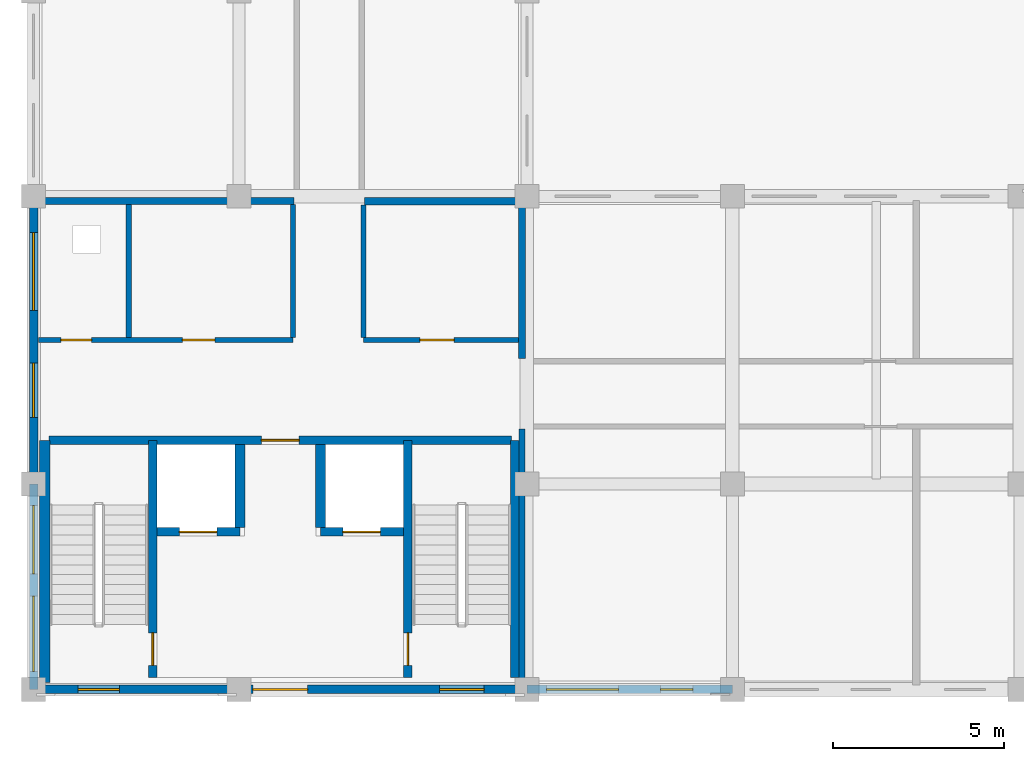
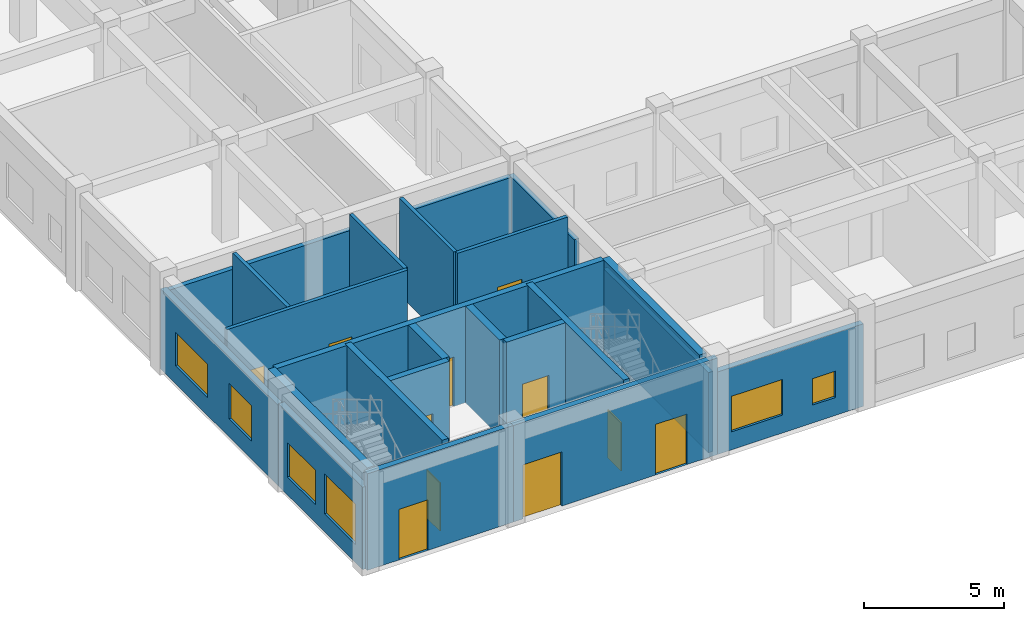
# One storey, part 26 of 67: 23 walls, 11 doors, 6 windows, 17 openings.
"""IFC4 building model written with IfcOpenShell, lengths in metres."""

from ifc_helpers import new_model, si_unit, direction, frame, frame_2d, origin, place, context, subcontext, project, spatial, rectangle, extrude, material, layer, layer_set, type_object, element, fill, save


model = new_model("IFC4")

# Units and contexts
model_context = context("Model", 3, precision=1e-05, world=origin(), true_north=direction((0.0, 1.0)))
body_context = subcontext(model_context, "Body", "Model", "MODEL_VIEW")
ifc_project = project(units=[si_unit("LENGTHUNIT", "METRE"), si_unit("AREAUNIT", "SQUARE_METRE"), si_unit("VOLUMEUNIT", "CUBIC_METRE"), si_unit("PLANEANGLEUNIT", "RADIAN"), si_unit("MASSUNIT", "GRAM", prefix="KILO"), si_unit("THERMODYNAMICTEMPERATUREUNIT", "KELVIN")], contexts=[model_context])

# Site, building, storey
site_placement = place(None, origin())
site = spatial("IfcSite", under=ifc_project, at=site_placement, CompositionType="ELEMENT")
building_placement = place(site_placement, origin())
building = spatial("IfcBuilding", under=site, at=building_placement, Name="Thalorik Housing Commons", CompositionType="ELEMENT")
storey_placement = place(building_placement, origin())
storey = spatial("IfcBuildingStorey", under=building, at=storey_placement, Name="L00", CompositionType="ELEMENT", Elevation=0.0)

# Wall, opening, door
ifc_material_1 = material(Name="Concrete C40/50", Category="concrete")
ifc_layer_1 = layer(ifc_material_1, 0.25, Name="Concrete C40/50", Category="concrete")
ifc_layer_set_1 = layer_set([ifc_layer_1], Name="Concrete C40/50")
wall_type_1 = type_object("IfcWallType", Name="ARC-WAL-CORE-250", PredefinedType="SHEAR", material=ifc_layer_set_1)
wall_1_placement = place(storey_placement, frame((11.875, 8.75, 0.0), z_axis=(0.0, 0.0, 1.0), x_axis=(0.0, 1.0, 0.0)))
wall_1 = element("IfcWall", 1, at=wall_1_placement, inside=storey, type_object=wall_type_1, Name="L00 Core C Stair 1 Shear Wall", PredefinedType="SHEAR", context=body_context, shape_type="SweptSolid", body=[
    extrude(rectangle(XDim=6.925048828125, YDim=0.25, at=frame_2d((3.46240234375, 0.0))), origin(), (0.0, 0.0, 1.0), 4.199951171875),
])
opening_1_placement = place(wall_1_placement, frame((0.35009765625, 0.0, 0.0)))
opening_1 = element("IfcOpeningElement", 2, at=opening_1_placement, cuts=wall_1, Name="Opening ID-0257", PredefinedType="OPENING", context=body_context, shape_type="SweptSolid", body=[
    extrude(rectangle(XDim=0.949951171875, YDim=2.10009765625, at=frame_2d((0.47509765625, 1.050048828125))), frame((0.0, 0.135009765625, 0.0), z_axis=(0.0, -1.0, 0.0), x_axis=(1.0, 0.0, 0.0)), (0.0, 0.0, 1.0), 0.27001953125),
])
ifc_material_2 = material(Name="Steel S355", Category="steel")
door_type_1 = type_object("IfcDoorType", Name="ARC-DR-FD60-950", OperationType="NOTDEFINED", PredefinedType="DOOR", material=ifc_material_2)
door_1_placement = place(opening_1_placement, origin())
door_1 = element("IfcDoor", 3, at=door_1_placement, inside=storey, type_object=door_type_1, Name="L00 Stair ST-C1 Fire Door", OperationType="SINGLE_SWING_RIGHT", OverallHeight=2.10009765625, OverallWidth=0.949951171875, PredefinedType="DOOR", context=body_context, shape_type="SweptSolid", body=[
    extrude(rectangle(XDim=0.949951171875, YDim=2.10009765625, at=frame_2d((0.47509765625, 1.050048828125))), frame((0.0, 0.02490234375, 0.0), z_axis=(0.0, -1.0, 0.0), x_axis=(1.0, 0.0, 0.0)), (0.0, 0.0, 1.0), 0.050048828125),
])
fill(opening_1, door_1)

wall_2_placement = place(storey_placement, frame((19.324951171875, 8.75, 0.0), z_axis=(0.0, 0.0, 1.0), x_axis=(0.0, 1.0, 0.0)))
wall_2 = element("IfcWall", 4, at=wall_2_placement, inside=storey, type_object=wall_type_1, Name="L00 Core C Stair 2 Shear Wall", PredefinedType="SHEAR", context=body_context, shape_type="SweptSolid", body=[
    extrude(rectangle(XDim=6.925048828125, YDim=0.25, at=frame_2d((3.46240234375, 0.0))), origin(), (0.0, 0.0, 1.0), 4.199951171875),
])
opening_2_placement = place(wall_2_placement, frame((0.35009765625, 0.0, 0.0)))
opening_2 = element("IfcOpeningElement", 5, at=opening_2_placement, cuts=wall_2, Name="Opening ID-0258", PredefinedType="OPENING", context=body_context, shape_type="SweptSolid", body=[
    extrude(rectangle(XDim=0.949951171875, YDim=2.10009765625, at=frame_2d((0.47509765625, 1.050048828125))), frame((0.0, 0.135009765625, 0.0), z_axis=(0.0, -1.0, 0.0), x_axis=(1.0, 0.0, 0.0)), (0.0, 0.0, 1.0), 0.27001953125),
])
door_2_placement = place(opening_2_placement, origin())
door_2 = element("IfcDoor", 6, at=door_2_placement, inside=storey, type_object=door_type_1, Name="L00 Stair ST-C2 Fire Door", OperationType="SINGLE_SWING_LEFT", OverallHeight=2.10009765625, OverallWidth=0.949951171875, PredefinedType="DOOR", context=body_context, shape_type="SweptSolid", body=[
    extrude(rectangle(XDim=0.949951171875, YDim=2.10009765625, at=frame_2d((0.47509765625, 1.050048828125))), frame((0.0, 0.02490234375, 0.0), z_axis=(0.0, -1.0, 0.0), x_axis=(1.0, 0.0, 0.0)), (0.0, 0.0, 1.0), 0.050048828125),
])
fill(opening_2, door_2)

wall_3_placement = place(storey_placement, frame((12.0, 13.0, 0.0), z_axis=(0.0, 0.0, 1.0), x_axis=(1.0, 0.0, 0.0)))
wall_3 = element("IfcWall", 7, at=wall_3_placement, inside=storey, type_object=wall_type_1, Name="L00 Lift LF-C1 Front Shaft Wall", PredefinedType="SHEAR", context=body_context, shape_type="SweptSolid", body=[
    extrude(rectangle(XDim=2.425048828125, YDim=0.25, at=frame_2d((1.21240234375, 0.0))), origin(), (0.0, 0.0, 1.0), 4.199951171875),
])
opening_3_placement = place(wall_3_placement, frame((0.64990234375, 0.0, 0.0)))
opening_3 = element("IfcOpeningElement", 8, at=opening_3_placement, cuts=wall_3, Name="Opening LD-LF-C1-L00", PredefinedType="OPENING", context=body_context, shape_type="SweptSolid", body=[
    extrude(rectangle(XDim=1.10009765625, YDim=2.14990234375, at=frame_2d((0.550048828125, 1.074951171875))), frame((0.0, 0.135009765625, 0.0), z_axis=(0.0, -1.0, 0.0), x_axis=(1.0, 0.0, 0.0)), (0.0, 0.0, 1.0), 0.27001953125),
])
door_type_2 = type_object("IfcDoorType", Name="ARC-DR-LIFT-1100", OperationType="NOTDEFINED", PredefinedType="DOOR", material=ifc_material_2)
door_3_placement = place(opening_3_placement, origin())
door_3 = element("IfcDoor", 9, at=door_3_placement, inside=storey, type_object=door_type_2, Name="L00 Lift LF-C1 Landing Door", OperationType="SLIDING_TO_LEFT", OverallHeight=2.14990234375, OverallWidth=1.10009765625, PredefinedType="DOOR", context=body_context, shape_type="SweptSolid", body=[
    extrude(rectangle(XDim=1.10009765625, YDim=2.14990234375, at=frame_2d((0.550048828125, 1.074951171875))), frame((0.0, 0.02490234375, 0.0), z_axis=(0.0, -1.0, 0.0), x_axis=(1.0, 0.0, 0.0)), (0.0, 0.0, 1.0), 0.050048828125),
])
fill(opening_3, door_3)

wall_4_placement = place(storey_placement, frame((16.77490234375, 13.0, 0.0), z_axis=(0.0, 0.0, 1.0), x_axis=(1.0, 0.0, 0.0)))
wall_4 = element("IfcWall", 10, at=wall_4_placement, inside=storey, type_object=wall_type_1, Name="L00 Lift LP-C2 Front Shaft Wall", PredefinedType="SHEAR", context=body_context, shape_type="SweptSolid", body=[
    extrude(rectangle(XDim=2.425048828125, YDim=0.25, at=frame_2d((1.21240234375, 0.0))), origin(), (0.0, 0.0, 1.0), 4.199951171875),
])
opening_4_placement = place(wall_4_placement, frame((0.64990234375, 0.0, 0.0)))
opening_4 = element("IfcOpeningElement", 11, at=opening_4_placement, cuts=wall_4, Name="Opening LD-LP-C2-L00", PredefinedType="OPENING", context=body_context, shape_type="SweptSolid", body=[
    extrude(rectangle(XDim=1.10009765625, YDim=2.14990234375, at=frame_2d((0.550048828125, 1.074951171875))), frame((0.0, 0.135009765625, 0.0), z_axis=(0.0, -1.0, 0.0), x_axis=(1.0, 0.0, 0.0)), (0.0, 0.0, 1.0), 0.27001953125),
])
door_4_placement = place(opening_4_placement, origin())
door_4 = element("IfcDoor", 12, at=door_4_placement, inside=storey, type_object=door_type_2, Name="L00 Lift LP-C2 Landing Door", OperationType="SLIDING_TO_LEFT", OverallHeight=2.14990234375, OverallWidth=1.10009765625, PredefinedType="DOOR", context=body_context, shape_type="SweptSolid", body=[
    extrude(rectangle(XDim=1.10009765625, YDim=2.14990234375, at=frame_2d((0.550048828125, 1.074951171875))), frame((0.0, 0.02490234375, 0.0), z_axis=(0.0, -1.0, 0.0), x_axis=(1.0, 0.0, 0.0)), (0.0, 0.0, 1.0), 0.050048828125),
])
fill(opening_4, door_4)

wall_5_placement = place(storey_placement, frame((8.85009765625, 15.675048828125, 0.0), z_axis=(0.0, 0.0, 1.0), x_axis=(1.0, 0.0, 0.0)))
wall_5 = element("IfcWall", 13, at=wall_5_placement, inside=storey, type_object=wall_type_1, Name="L00 Core C Spine Shear Wall", PredefinedType="SHEAR", context=body_context, shape_type="SweptSolid", body=[
    extrude(rectangle(XDim=13.5, YDim=0.25, at=frame_2d((6.75, 0.0))), origin(), (0.0, 0.0, 1.0), 4.199951171875),
])
opening_5_placement = place(wall_5_placement, frame((6.199951171875, 0.0, 0.0)))
opening_5 = element("IfcOpeningElement", 14, at=opening_5_placement, cuts=wall_5, Name="Opening ID-0261", PredefinedType="OPENING", context=body_context, shape_type="SweptSolid", body=[
    extrude(rectangle(XDim=1.10009765625, YDim=2.14990234375, at=frame_2d((0.550048828125, 1.074951171875))), frame((0.0, 0.135009765625, 0.0), z_axis=(0.0, -1.0, 0.0), x_axis=(1.0, 0.0, 0.0)), (0.0, 0.0, 1.0), 0.27001953125),
])
door_type_3 = type_object("IfcDoorType", Name="ARC-DR-FD60-1100", OperationType="NOTDEFINED", PredefinedType="DOOR", material=ifc_material_2)
door_5_placement = place(opening_5_placement, origin())
door_5 = element("IfcDoor", 15, at=door_5_placement, inside=storey, type_object=door_type_3, Name="L00 Core C Lobby Fire Door", OperationType="SINGLE_SWING_RIGHT", OverallHeight=2.14990234375, OverallWidth=1.10009765625, PredefinedType="DOOR", context=body_context, shape_type="SweptSolid", body=[
    extrude(rectangle(XDim=1.10009765625, YDim=2.14990234375, at=frame_2d((0.550048828125, 1.074951171875))), frame((0.0, 0.02490234375, 0.0), z_axis=(0.0, -1.0, 0.0), x_axis=(1.0, 0.0, 0.0)), (0.0, 0.0, 1.0), 0.050048828125),
])
fill(opening_5, door_5)

# Walls
ifc_layer_2 = layer(ifc_material_1, 0.300048828125, Name="Concrete C40/50", Category="concrete")
ifc_layer_set_2 = layer_set([ifc_layer_2], Name="Concrete C40/50")
wall_type_2 = type_object("IfcWallType", Name="ARC-WAL-CORE-300", PredefinedType="SHEAR", material=ifc_layer_set_2)
wall_6_placement = place(storey_placement, frame((8.72509765625, 8.60009765625, 0.0), z_axis=(0.0, 0.0, 1.0), x_axis=(0.0, 1.0, 0.0)))
element("IfcWall", 16, at=wall_6_placement, inside=storey, type_object=wall_type_2, Name="L00 Core C Stair 1 Outer Shear Wall", PredefinedType="SHEAR", context=body_context, shape_type="SweptSolid", body=[
    extrude(rectangle(XDim=7.074951171875, YDim=0.300048828125, at=frame_2d((3.53759765625, 0.0))), origin(), (0.0, 0.0, 1.0), 4.199951171875),
])
wall_7_placement = place(storey_placement, frame((22.47509765625, 8.75, 0.0), z_axis=(0.0, 0.0, 1.0), x_axis=(0.0, 1.0, 0.0)))
element("IfcWall", 17, at=wall_7_placement, inside=storey, type_object=wall_type_2, Name="L00 Core C Stair 2 Outer Shear Wall", PredefinedType="SHEAR", context=body_context, shape_type="SweptSolid", body=[
    extrude(rectangle(XDim=6.925048828125, YDim=0.300048828125, at=frame_2d((3.46240234375, 0.0))), origin(), (0.0, 0.0, 1.0), 4.199951171875),
])
for number, where, z_axis, x_axis, name in (
    (18, (14.425048828125, 13.125, 0.0), (0.0, 0.0, 1.0), (0.0, 1.0, 0.0), "L00 Lift 1 Cheek Wall"),
    (19, (16.77490234375, 13.125, 0.0), (0.0, 0.0, 1.0), (0.0, 1.0, 0.0), "L00 Lift 2 Cheek Wall"),
):
    element("IfcWall", number, at=place(storey_placement, frame(where, z_axis=z_axis, x_axis=x_axis)), inside=storey, type_object=wall_type_2, Name=name, PredefinedType="SHEAR", context=body_context, shape_type="SweptSolid", body=[
        extrude(rectangle(XDim=2.425048828125, YDim=0.300048828125, at=frame_2d((1.21240234375, 0.0))), origin(), (0.0, 0.0, 1.0), 4.199951171875),
    ])

# Wall, openings, windows
ifc_material_3 = material(Name="White precast concrete C40/50", Category="concrete")
ifc_layer_3 = layer(ifc_material_3, 0.2451171875, Name="White precast concrete C40/50", Category="concrete")
ifc_layer_set_3 = layer_set([ifc_layer_3], Name="White precast concrete C40/50")
wall_type_3 = type_object("IfcWallType", Name="ARC-WAL-EXT-245", PredefinedType="STANDARD", material=ifc_layer_set_3)
wall_8_placement = place(storey_placement, frame((8.39990234375, 22.800048828125, 0.0), z_axis=(0.0, 0.0, 1.0), x_axis=(0.0, -1.0, 0.0)))
wall_8 = element("IfcWall", 20, at=wall_8_placement, inside=storey, type_object=wall_type_3, Name="L00 Exterior Wall WAL-EXT-L00-C-0833", PredefinedType="STANDARD", context=body_context, shape_type="SweptSolid", body=[
    extrude(rectangle(XDim=8.400146484375, YDim=0.2451171875, at=frame_2d((4.2001953125, 0.0))), origin(), (0.0, 0.0, 1.0), 3.485107421875),
])
opening_6_placement = place(wall_8_placement, frame((1.054931640625, 0.0, 0.780029296875)))
opening_6 = element("IfcOpeningElement", 21, at=opening_6_placement, cuts=wall_8, Name="Opening W-67", PredefinedType="OPENING", context=body_context, shape_type="SweptSolid", body=[
    extrude(rectangle(XDim=2.280029296875, YDim=1.4599609375, at=frame_2d((1.14013671875, 0.72998046875))), frame((0.0, 0.132568359375, 0.0), z_axis=(0.0, -1.0, 0.0), x_axis=(1.0, 0.0, 0.0)), (0.0, 0.0, 1.0), 0.26513671875),
])
opening_7_placement = place(wall_8_placement, frame((4.862548828125, 0.0, 0.780029296875)))
opening_7 = element("IfcOpeningElement", 22, at=opening_7_placement, cuts=wall_8, Name="Opening W-13", PredefinedType="OPENING", context=body_context, shape_type="SweptSolid", body=[
    extrude(rectangle(XDim=1.60009765625, YDim=1.550048828125, at=frame_2d((0.800048828125, 0.77490234375))), frame((0.0, 0.132568359375, 0.0), z_axis=(0.0, -1.0, 0.0), x_axis=(1.0, 0.0, 0.0)), (0.0, 0.0, 1.0), 0.26513671875),
])
ifc_material_4 = material(Name="Anodised aluminium and solar-control low-E glass", Category="aluminium")
window_type_1 = type_object("IfcWindowType", Name="ARC-WIN-13", PartitioningType="DOUBLE_PANEL_VERTICAL", PredefinedType="WINDOW", material=ifc_material_4)
window_1_placement = place(opening_7_placement, origin())
window_1 = element("IfcWindow", 23, at=window_1_placement, inside=storey, type_object=window_type_1, Name="L00 Facade Window 1546", OverallHeight=1.550048828125, OverallWidth=1.60009765625, PartitioningType="DOUBLE_PANEL_VERTICAL", PredefinedType="WINDOW", context=body_context, shape_type="SweptSolid", body=[
    extrude(rectangle(XDim=1.60009765625, YDim=1.550048828125, at=frame_2d((0.800048828125, 0.77490234375))), frame((0.0, 0.030029296875, 0.0), z_axis=(0.0, -1.0, 0.0), x_axis=(1.0, 0.0, 0.0)), (0.0, 0.0, 1.0), 0.06005859375),
])
fill(opening_7, window_1)
window_type_2 = type_object("IfcWindowType", Name="ARC-WIN-67", PartitioningType="DOUBLE_PANEL_VERTICAL", PredefinedType="WINDOW", material=ifc_material_4)
window_2_placement = place(opening_6_placement, origin())
window_2 = element("IfcWindow", 24, at=window_2_placement, inside=storey, type_object=window_type_2, Name="L00 Facade Window 1545", OverallHeight=1.4599609375, OverallWidth=2.280029296875, PartitioningType="DOUBLE_PANEL_VERTICAL", PredefinedType="WINDOW", context=body_context, shape_type="SweptSolid", body=[
    extrude(rectangle(XDim=2.280029296875, YDim=1.4599609375, at=frame_2d((1.14013671875, 0.72998046875))), frame((0.0, 0.030029296875, 0.0), z_axis=(0.0, -1.0, 0.0), x_axis=(1.0, 0.0, 0.0)), (0.0, 0.0, 1.0), 0.06005859375),
])
fill(opening_6, window_2)

wall_9_placement = place(storey_placement, frame((8.39990234375, 14.39990234375, 0.0), z_axis=(0.0, 0.0, 1.0), x_axis=(0.0, -1.0, 0.0)))
wall_9 = element("IfcWall", 25, at=wall_9_placement, inside=storey, type_object=wall_type_3, Name="L00 Exterior Wall WAL-EXT-L00-C-0834", PredefinedType="STANDARD", context=body_context, shape_type="SweptSolid", body=[
    extrude(rectangle(XDim=6.0, YDim=0.2451171875, at=frame_2d((3.0, 0.0))), origin(), (0.0, 0.0, 1.0), 3.5849609375),
])
opening_8_placement = place(wall_9_placement, frame((0.6298828125, 0.0, 0.780029296875)))
opening_8 = element("IfcOpeningElement", 26, at=opening_8_placement, cuts=wall_9, Name="Opening W-23", PredefinedType="OPENING", context=body_context, shape_type="SweptSolid", body=[
    extrude(rectangle(XDim=2.0, YDim=1.5, at=frame_2d((1.0, 0.75))), frame((0.0, 0.132568359375, 0.0), z_axis=(0.0, -1.0, 0.0), x_axis=(1.0, 0.0, 0.0)), (0.0, 0.0, 1.0), 0.26513671875),
])
opening_9_placement = place(wall_9_placement, frame((3.27001953125, 0.0, 0.780029296875)))
opening_9 = element("IfcOpeningElement", 27, at=opening_9_placement, cuts=wall_9, Name="Opening W-30", PredefinedType="OPENING", context=body_context, shape_type="SweptSolid", body=[
    extrude(rectangle(XDim=2.199951171875, YDim=1.75, at=frame_2d((1.10009765625, 0.875))), frame((0.0, 0.132568359375, 0.0), z_axis=(0.0, -1.0, 0.0), x_axis=(1.0, 0.0, 0.0)), (0.0, 0.0, 1.0), 0.26513671875),
])
window_type_3 = type_object("IfcWindowType", Name="ARC-WIN-23", PartitioningType="DOUBLE_PANEL_VERTICAL", PredefinedType="WINDOW", material=ifc_material_4)
window_3_placement = place(opening_8_placement, origin())
window_3 = element("IfcWindow", 28, at=window_3_placement, inside=storey, type_object=window_type_3, Name="L00 Facade Window 1547", OverallHeight=1.5, OverallWidth=2.0, PartitioningType="DOUBLE_PANEL_VERTICAL", PredefinedType="WINDOW", context=body_context, shape_type="SweptSolid", body=[
    extrude(rectangle(XDim=2.0, YDim=1.5, at=frame_2d((1.0, 0.75))), frame((0.0, 0.030029296875, 0.0), z_axis=(0.0, -1.0, 0.0), x_axis=(1.0, 0.0, 0.0)), (0.0, 0.0, 1.0), 0.06005859375),
])
fill(opening_8, window_3)
window_type_4 = type_object("IfcWindowType", Name="ARC-WIN-30", PartitioningType="DOUBLE_PANEL_VERTICAL", PredefinedType="WINDOW", material=ifc_material_4)
window_4_placement = place(opening_9_placement, origin())
window_4 = element("IfcWindow", 29, at=window_4_placement, inside=storey, type_object=window_type_4, Name="L00 Facade Window 1548", OverallHeight=1.75, OverallWidth=2.199951171875, PartitioningType="DOUBLE_PANEL_VERTICAL", PredefinedType="WINDOW", context=body_context, shape_type="SweptSolid", body=[
    extrude(rectangle(XDim=2.199951171875, YDim=1.75, at=frame_2d((1.10009765625, 0.875))), frame((0.0, 0.030029296875, 0.0), z_axis=(0.0, -1.0, 0.0), x_axis=(1.0, 0.0, 0.0)), (0.0, 0.0, 1.0), 0.06005859375),
])
fill(opening_9, window_4)

# Wall, opening, door
wall_10_placement = place(storey_placement, frame((8.39990234375, 8.39990234375, 0.0), z_axis=(0.0, 0.0, 1.0), x_axis=(1.0, 0.0, 0.0)))
wall_10 = element("IfcWall", 30, at=wall_10_placement, inside=storey, type_object=wall_type_3, Name="L00 Exterior Wall WAL-EXT-L00-C-0835", PredefinedType="STANDARD", context=body_context, shape_type="SweptSolid", body=[
    extrude(rectangle(XDim=6.0, YDim=0.2451171875, at=frame_2d((3.0, 0.0))), origin(), (0.0, 0.0, 1.0), 4.199951171875),
])
opening_10_placement = place(wall_10_placement, frame((1.300048828125, 0.0, 0.0)))
opening_10 = element("IfcOpeningElement", 31, at=opening_10_placement, cuts=wall_10, Name="Opening ED-0283", PredefinedType="OPENING", context=body_context, shape_type="SweptSolid", body=[
    extrude(rectangle(XDim=1.199951171875, YDim=2.199951171875, at=frame_2d((0.60009765625, 1.10009765625))), frame((0.0, 0.132568359375, 0.0), z_axis=(0.0, -1.0, 0.0), x_axis=(1.0, 0.0, 0.0)), (0.0, 0.0, 1.0), 0.26513671875),
])
ifc_material_5 = material(Name="Anodised aluminium and laminated safety glass", Category="aluminium")
door_type_4 = type_object("IfcDoorType", Name="ARC-DR-EXT-EXIT-1200", OperationType="NOTDEFINED", PredefinedType="DOOR", material=ifc_material_5)
door_6_placement = place(opening_10_placement, frame((1.199951171875, 0.0, 0.0), z_axis=(0.0, 0.0, 1.0), x_axis=(-1.0, 0.0, 0.0)))
door_6 = element("IfcDoor", 32, at=door_6_placement, inside=storey, type_object=door_type_4, Name="L00 Stair ST-C1 Final Street Exit Door", OperationType="SINGLE_SWING_RIGHT", OverallHeight=2.199951171875, OverallWidth=1.199951171875, PredefinedType="DOOR", context=body_context, shape_type="SweptSolid", body=[
    extrude(rectangle(XDim=1.199951171875, YDim=2.199951171875, at=frame_2d((0.60009765625, 1.10009765625))), frame((0.0, 0.02490234375, 0.0), z_axis=(0.0, -1.0, 0.0), x_axis=(1.0, 0.0, 0.0)), (0.0, 0.0, 1.0), 0.050048828125),
])
fill(opening_10, door_6)

# Wall, openings, doors
wall_11_placement = place(storey_placement, frame((14.39990234375, 8.39990234375, 0.0), z_axis=(0.0, 0.0, 1.0), x_axis=(1.0, 0.0, 0.0)))
wall_11 = element("IfcWall", 33, at=wall_11_placement, inside=storey, type_object=wall_type_3, Name="L00 Exterior Wall WAL-EXT-L00-C-0836", PredefinedType="STANDARD", context=body_context, shape_type="SweptSolid", body=[
    extrude(rectangle(XDim=8.400146484375, YDim=0.2451171875, at=frame_2d((4.2001953125, 0.0))), origin(), (0.0, 0.0, 1.0), 4.199951171875),
])
opening_11_placement = place(wall_11_placement, frame((0.39990234375, 0.0, 0.0)))
opening_11 = element("IfcOpeningElement", 34, at=opening_11_placement, cuts=wall_11, Name="Opening ED-0284", PredefinedType="OPENING", context=body_context, shape_type="SweptSolid", body=[
    extrude(rectangle(XDim=1.60009765625, YDim=2.35009765625, at=frame_2d((0.800048828125, 1.175048828125))), frame((0.0, 0.132568359375, 0.0), z_axis=(0.0, -1.0, 0.0), x_axis=(1.0, 0.0, 0.0)), (0.0, 0.0, 1.0), 0.26513671875),
])
opening_12_placement = place(wall_11_placement, frame((5.85009765625, 0.0, 0.0)))
opening_12 = element("IfcOpeningElement", 35, at=opening_12_placement, cuts=wall_11, Name="Opening ED-0285", PredefinedType="OPENING", context=body_context, shape_type="SweptSolid", body=[
    extrude(rectangle(XDim=1.300048828125, YDim=2.199951171875, at=frame_2d((0.64990234375, 1.10009765625))), frame((0.0, 0.132568359375, 0.0), z_axis=(0.0, -1.0, 0.0), x_axis=(1.0, 0.0, 0.0)), (0.0, 0.0, 1.0), 0.26513671875),
])
door_type_5 = type_object("IfcDoorType", Name="ARC-DR-EXT-EXIT-1300", OperationType="NOTDEFINED", PredefinedType="DOOR", material=ifc_material_5)
door_7_placement = place(opening_12_placement, frame((1.300048828125, 0.0, 0.0), z_axis=(0.0, 0.0, 1.0), x_axis=(-1.0, 0.0, 0.0)))
door_7 = element("IfcDoor", 36, at=door_7_placement, inside=storey, type_object=door_type_5, Name="L00 Stair ST-C2 Final Street Exit Door", OperationType="SINGLE_SWING_RIGHT", OverallHeight=2.199951171875, OverallWidth=1.300048828125, PredefinedType="DOOR", context=body_context, shape_type="SweptSolid", body=[
    extrude(rectangle(XDim=1.300048828125, YDim=2.199951171875, at=frame_2d((0.64990234375, 1.10009765625))), frame((0.0, 0.02490234375, 0.0), z_axis=(0.0, -1.0, 0.0), x_axis=(1.0, 0.0, 0.0)), (0.0, 0.0, 1.0), 0.050048828125),
])
fill(opening_12, door_7)
door_type_6 = type_object("IfcDoorType", Name="ARC-DR-EXT-LOB-1600", OperationType="NOTDEFINED", PredefinedType="DOOR", material=ifc_material_5)
door_8_placement = place(opening_11_placement, frame((1.60009765625, 0.0, 0.0), z_axis=(0.0, 0.0, 1.0), x_axis=(-1.0, 0.0, 0.0)))
door_8 = element("IfcDoor", 37, at=door_8_placement, inside=storey, type_object=door_type_6, Name="L00 Block C Main Lobby Street Entrance Door", OperationType="DOUBLE_DOOR_SINGLE_SWING", OverallHeight=2.35009765625, OverallWidth=1.60009765625, PredefinedType="DOOR", context=body_context, shape_type="SweptSolid", body=[
    extrude(rectangle(XDim=1.60009765625, YDim=2.35009765625, at=frame_2d((0.800048828125, 1.175048828125))), frame((0.0, 0.02490234375, 0.0), z_axis=(0.0, -1.0, 0.0), x_axis=(1.0, 0.0, 0.0)), (0.0, 0.0, 1.0), 0.050048828125),
])
fill(opening_11, door_8)

# Wall, openings, windows
wall_12_placement = place(storey_placement, frame((22.800048828125, 8.39990234375, 0.0), z_axis=(0.0, 0.0, 1.0), x_axis=(1.0, 0.0, 0.0)))
wall_12 = element("IfcWall", 38, at=wall_12_placement, inside=storey, type_object=wall_type_3, Name="L00 Exterior Wall WAL-EXT-L00-C-0837", PredefinedType="STANDARD", context=body_context, shape_type="SweptSolid", body=[
    extrude(rectangle(XDim=6.0, YDim=0.2451171875, at=frame_2d((3.0, 0.0))), origin(), (0.0, 0.0, 1.0), 3.5849609375),
])
opening_13_placement = place(wall_12_placement, frame((0.580078125, 0.0, 0.780029296875)))
opening_13 = element("IfcOpeningElement", 39, at=opening_13_placement, cuts=wall_12, Name="Opening W-26", PredefinedType="OPENING", context=body_context, shape_type="SweptSolid", body=[
    extrude(rectangle(XDim=2.10009765625, YDim=1.550048828125, at=frame_2d((1.050048828125, 0.77490234375))), frame((0.0, 0.132568359375, 0.0), z_axis=(0.0, -1.0, 0.0), x_axis=(1.0, 0.0, 0.0)), (0.0, 0.0, 1.0), 0.26513671875),
])
opening_14_placement = place(wall_12_placement, frame((3.89501953125, 0.0, 0.780029296875)))
opening_14 = element("IfcOpeningElement", 40, at=opening_14_placement, cuts=wall_12, Name="Opening W-43", PredefinedType="OPENING", context=body_context, shape_type="SweptSolid", body=[
    extrude(rectangle(XDim=0.949951171875, YDim=1.14990234375, at=frame_2d((0.47509765625, 0.574951171875))), frame((0.0, 0.132568359375, 0.0), z_axis=(0.0, -1.0, 0.0), x_axis=(1.0, 0.0, 0.0)), (0.0, 0.0, 1.0), 0.26513671875),
])
window_type_5 = type_object("IfcWindowType", Name="ARC-WIN-26", PartitioningType="DOUBLE_PANEL_VERTICAL", PredefinedType="WINDOW", material=ifc_material_4)
window_5_placement = place(opening_13_placement, origin())
window_5 = element("IfcWindow", 41, at=window_5_placement, inside=storey, type_object=window_type_5, Name="L00 Facade Window 1549", OverallHeight=1.550048828125, OverallWidth=2.10009765625, PartitioningType="DOUBLE_PANEL_VERTICAL", PredefinedType="WINDOW", context=body_context, shape_type="SweptSolid", body=[
    extrude(rectangle(XDim=2.10009765625, YDim=1.550048828125, at=frame_2d((1.050048828125, 0.77490234375))), frame((0.0, 0.030029296875, 0.0), z_axis=(0.0, -1.0, 0.0), x_axis=(1.0, 0.0, 0.0)), (0.0, 0.0, 1.0), 0.06005859375),
])
fill(opening_13, window_5)
window_type_6 = type_object("IfcWindowType", Name="ARC-WIN-43", PartitioningType="SINGLE_PANEL", PredefinedType="WINDOW", material=ifc_material_4)
window_6_placement = place(opening_14_placement, origin())
window_6 = element("IfcWindow", 42, at=window_6_placement, inside=storey, type_object=window_type_6, Name="L00 Facade Window 1550", OverallHeight=1.14990234375, OverallWidth=0.949951171875, PartitioningType="SINGLE_PANEL", PredefinedType="WINDOW", context=body_context, shape_type="SweptSolid", body=[
    extrude(rectangle(XDim=0.949951171875, YDim=1.14990234375, at=frame_2d((0.47509765625, 0.574951171875))), frame((0.0, 0.030029296875, 0.0), z_axis=(0.0, -1.0, 0.0), x_axis=(1.0, 0.0, 0.0)), (0.0, 0.0, 1.0), 0.06005859375),
])
fill(opening_14, window_6)

# Walls
ifc_material_6 = material(Name="Ceramic masonry partition wall", Category="masonry")
ifc_layer_4 = layer(ifc_material_6, 0.14794921875, Name="Ceramic masonry partition wall", Category="masonry")
ifc_layer_set_4 = layer_set([ifc_layer_4], Name="Ceramic masonry partition wall")
wall_type_4 = type_object("IfcWallType", Name="ARC-WAL-PART-150", PredefinedType="PARTITIONING", material=ifc_layer_set_4)
for number, where, z_axis, x_axis, name in (
    (43, (11.175048828125, 18.676025390625, 0.0), (0.0, 0.0, 1.0), (0.0, 1.0, 0.0), "Riser Wall"),
    (44, (15.97509765625, 18.676025390625, 0.0), (0.0, 0.0, 1.0), (0.0, 1.0, 0.0), "Core Stem West Cheek Wall"),
):
    element("IfcWall", number, at=place(storey_placement, frame(where, z_axis=z_axis, x_axis=x_axis)), inside=storey, type_object=wall_type_4, Name=name, PredefinedType="PARTITIONING", context=body_context, shape_type="SweptSolid", body=[
        extrude(rectangle(XDim=3.882080078125, YDim=0.14794921875, at=frame_2d((1.94091796875, 0.0))), origin(), (0.0, 0.0, 1.0), 4.199951171875),
    ])
wall_13_placement = place(storey_placement, frame((18.02490234375, 18.676025390625, 0.0), z_axis=(0.0, 0.0, 1.0), x_axis=(0.0, 1.0, 0.0)))
element("IfcWall", 45, at=wall_13_placement, inside=storey, type_object=wall_type_4, Name="Core Stem East Cheek Wall", PredefinedType="PARTITIONING", context=body_context, shape_type="SweptSolid", body=[
    extrude(rectangle(XDim=3.8720703125, YDim=0.14794921875, at=frame_2d((1.93603515625, 0.0))), origin(), (0.0, 0.0, 1.0), 4.199951171875),
])

# Wall, openings, doors
wall_14_placement = place(storey_placement, frame((8.5400390625, 18.60009765625, 0.0), z_axis=(0.0, 0.0, 1.0), x_axis=(1.0, 0.0, 0.0)))
wall_14 = element("IfcWall", 46, at=wall_14_placement, inside=storey, type_object=wall_type_4, Name="L00 Core C West Corridor Partition", PredefinedType="PARTITIONING", context=body_context, shape_type="SweptSolid", body=[
    extrude(rectangle(XDim=7.43505859375, YDim=0.14794921875, at=frame_2d((3.717529296875, 0.0))), origin(), (0.0, 0.0, 1.0), 4.199951171875),
])
opening_15_placement = place(wall_14_placement, frame((0.64990234375, 0.0, 0.0)))
opening_15 = element("IfcOpeningElement", 47, at=opening_15_placement, cuts=wall_14, Name="Opening ID-0262", PredefinedType="OPENING", context=body_context, shape_type="SweptSolid", body=[
    extrude(rectangle(XDim=0.89990234375, YDim=2.10009765625, at=frame_2d((0.449951171875, 1.050048828125))), frame((0.0, 0.083984375, 0.0), z_axis=(0.0, -1.0, 0.0), x_axis=(1.0, 0.0, 0.0)), (0.0, 0.0, 1.0), 0.16796875),
])
opening_16_placement = place(wall_14_placement, frame((4.199951171875, 0.0, 0.0)))
opening_16 = element("IfcOpeningElement", 48, at=opening_16_placement, cuts=wall_14, Name="Opening ID-0263", PredefinedType="OPENING", context=body_context, shape_type="SweptSolid", body=[
    extrude(rectangle(XDim=0.949951171875, YDim=2.10009765625, at=frame_2d((0.47509765625, 1.050048828125))), frame((0.0, 0.083984375, 0.0), z_axis=(0.0, -1.0, 0.0), x_axis=(1.0, 0.0, 0.0)), (0.0, 0.0, 1.0), 0.16796875),
])
door_type_7 = type_object("IfcDoorType", Name="ARC-DR-FD60-900", OperationType="NOTDEFINED", PredefinedType="DOOR", material=ifc_material_2)
door_9_placement = place(opening_15_placement, origin())
door_9 = element("IfcDoor", 49, at=door_9_placement, inside=storey, type_object=door_type_7, Name="Electrical Riser Door", OperationType="SINGLE_SWING_LEFT", OverallHeight=2.10009765625, OverallWidth=0.89990234375, PredefinedType="DOOR", context=body_context, shape_type="SweptSolid", body=[
    extrude(rectangle(XDim=0.89990234375, YDim=2.10009765625, at=frame_2d((0.449951171875, 1.050048828125))), frame((0.0, 0.02490234375, 0.0), z_axis=(0.0, -1.0, 0.0), x_axis=(1.0, 0.0, 0.0)), (0.0, 0.0, 1.0), 0.050048828125),
])
fill(opening_15, door_9)
ifc_material_7 = material(Name="Engineered oak timber", Category="wood")
door_type_8 = type_object("IfcDoorType", Name="ARC-DR-INT-950", OperationType="NOTDEFINED", PredefinedType="DOOR", material=ifc_material_7)
door_10_placement = place(opening_16_placement, origin())
door_10 = element("IfcDoor", 50, at=door_10_placement, inside=storey, type_object=door_type_8, Name="Accessible Bathroom Door", OperationType="SINGLE_SWING_RIGHT", OverallHeight=2.10009765625, OverallWidth=0.949951171875, PredefinedType="DOOR", context=body_context, shape_type="SweptSolid", body=[
    extrude(rectangle(XDim=0.949951171875, YDim=2.10009765625, at=frame_2d((0.47509765625, 1.050048828125))), frame((0.0, 0.02490234375, 0.0), z_axis=(0.0, -1.0, 0.0), x_axis=(1.0, 0.0, 0.0)), (0.0, 0.0, 1.0), 0.050048828125),
])
fill(opening_16, door_10)

# Wall, opening, door
wall_15_placement = place(storey_placement, frame((18.02490234375, 18.60009765625, 0.0), z_axis=(0.0, 0.0, 1.0), x_axis=(1.0, 0.0, 0.0)))
wall_15 = element("IfcWall", 51, at=wall_15_placement, inside=storey, type_object=wall_type_4, Name="L00 Core C East Corridor Partition", PredefinedType="PARTITIONING", context=body_context, shape_type="SweptSolid", body=[
    extrude(rectangle(XDim=4.533203125, YDim=0.14794921875, at=frame_2d((2.2666015625, 0.0))), origin(), (0.0, 0.0, 1.0), 4.199951171875),
])
opening_17_placement = place(wall_15_placement, frame((1.64990234375, 0.0, 0.0)))
opening_17 = element("IfcOpeningElement", 52, at=opening_17_placement, cuts=wall_15, Name="Opening ID-0264", PredefinedType="OPENING", context=body_context, shape_type="SweptSolid", body=[
    extrude(rectangle(XDim=1.0, YDim=2.14990234375, at=frame_2d((0.5, 1.074951171875))), frame((0.0, 0.083984375, 0.0), z_axis=(0.0, -1.0, 0.0), x_axis=(1.0, 0.0, 0.0)), (0.0, 0.0, 1.0), 0.16796875),
])
door_type_9 = type_object("IfcDoorType", Name="ARC-DR-FD60-1000", OperationType="NOTDEFINED", PredefinedType="DOOR", material=ifc_material_2)
door_11_placement = place(opening_17_placement, origin())
door_11 = element("IfcDoor", 53, at=door_11_placement, inside=storey, type_object=door_type_9, Name="Core Hub Room Door", OperationType="SINGLE_SWING_LEFT", OverallHeight=2.14990234375, OverallWidth=1.0, PredefinedType="DOOR", context=body_context, shape_type="SweptSolid", body=[
    extrude(rectangle(XDim=1.0, YDim=2.14990234375, at=frame_2d((0.5, 1.074951171875))), frame((0.0, 0.02490234375, 0.0), z_axis=(0.0, -1.0, 0.0), x_axis=(1.0, 0.0, 0.0)), (0.0, 0.0, 1.0), 0.050048828125),
])
fill(opening_17, door_11)

# Walls
ifc_material_8 = material(Name="Masonry acoustic blockwork wall", Category="masonry")
ifc_layer_5 = layer(ifc_material_8, 0.18505859375, Name="Masonry acoustic blockwork wall", Category="masonry")
ifc_layer_set_5 = layer_set([ifc_layer_5], Name="Masonry acoustic blockwork wall")
wall_type_5 = type_object("IfcWallType", Name="ARC-WAL-PARTY-185", PredefinedType="PARTITIONING", material=ifc_layer_set_5)
wall_16_placement = place(storey_placement, frame((22.659912109375, 8.5244140625, 0.0), z_axis=(0.0, 0.0, 1.0), x_axis=(0.0, 1.0, 0.0)))
element("IfcWall", 54, at=wall_16_placement, inside=storey, type_object=wall_type_5, Name="L00 Inter-Tenancy Wall 0A", PredefinedType="PARTITIONING", context=body_context, shape_type="SweptSolid", body=[
    extrude(rectangle(XDim=7.478515625, YDim=0.18505859375, at=frame_2d((3.7392578125, 0.0))), origin(), (0.0, 0.0, 1.0), 3.485107421875),
])
ifc_material_9 = material(Name="Precast concrete C40/50 acoustic wall", Category="concrete")
ifc_layer_6 = layer(ifc_material_9, 0.199951171875, Name="Precast concrete C40/50 acoustic wall", Category="concrete")
ifc_layer_set_6 = layer_set([ifc_layer_6], Name="Precast concrete C40/50 acoustic wall")
wall_type_6 = type_object("IfcWallType", Name="ARC-WAL-PARTY-200", PredefinedType="PARTITIONING", material=ifc_layer_set_6)
wall_17_placement = place(storey_placement, frame((8.5244140625, 22.659912109375, 0.0), z_axis=(0.0, 0.0, 1.0), x_axis=(1.0, 0.0, 0.0)))
element("IfcWall", 55, at=wall_17_placement, inside=storey, type_object=wall_type_6, Name="L00 Inter-Tenancy Wall 0A", PredefinedType="PARTITIONING", context=body_context, shape_type="SweptSolid", body=[
    extrude(rectangle(XDim=7.478515625, YDim=0.199951171875, at=frame_2d((3.7392578125, 0.0))), origin(), (0.0, 0.0, 1.0), 3.485107421875),
])
wall_18_placement = place(storey_placement, frame((22.659912109375, 18.064453125, 0.0), z_axis=(0.0, 0.0, 1.0), x_axis=(0.0, 1.0, 0.0)))
element("IfcWall", 56, at=wall_18_placement, inside=storey, type_object=wall_type_6, Name="L00 Inter-Tenancy Wall 0B", PredefinedType="PARTITIONING", context=body_context, shape_type="SweptSolid", body=[
    extrude(rectangle(XDim=4.675537109375, YDim=0.199951171875, at=frame_2d((2.337890625, 0.0))), origin(), (0.0, 0.0, 1.0), 3.485107421875),
])
ifc_layer_7 = layer(ifc_material_9, 0.219970703125, Name="Precast concrete C40/50 acoustic wall", Category="concrete")
ifc_layer_set_7 = layer_set([ifc_layer_7], Name="Precast concrete C40/50 acoustic wall")
wall_type_7 = type_object("IfcWallType", Name="ARC-WAL-PARTY-220", PredefinedType="PARTITIONING", material=ifc_layer_set_7)
wall_19_placement = place(storey_placement, frame((18.064453125, 22.659912109375, 0.0), z_axis=(0.0, 0.0, 1.0), x_axis=(1.0, 0.0, 0.0)))
element("IfcWall", 57, at=wall_19_placement, inside=storey, type_object=wall_type_7, Name="L00 Inter-Tenancy Wall 0B", PredefinedType="PARTITIONING", context=body_context, shape_type="SweptSolid", body=[
    extrude(rectangle(XDim=4.49365234375, YDim=0.219970703125, at=frame_2d((2.246826171875, 0.0))), origin(), (0.0, 0.0, 1.0), 3.485107421875),
])

save(model, "model.ifc")
